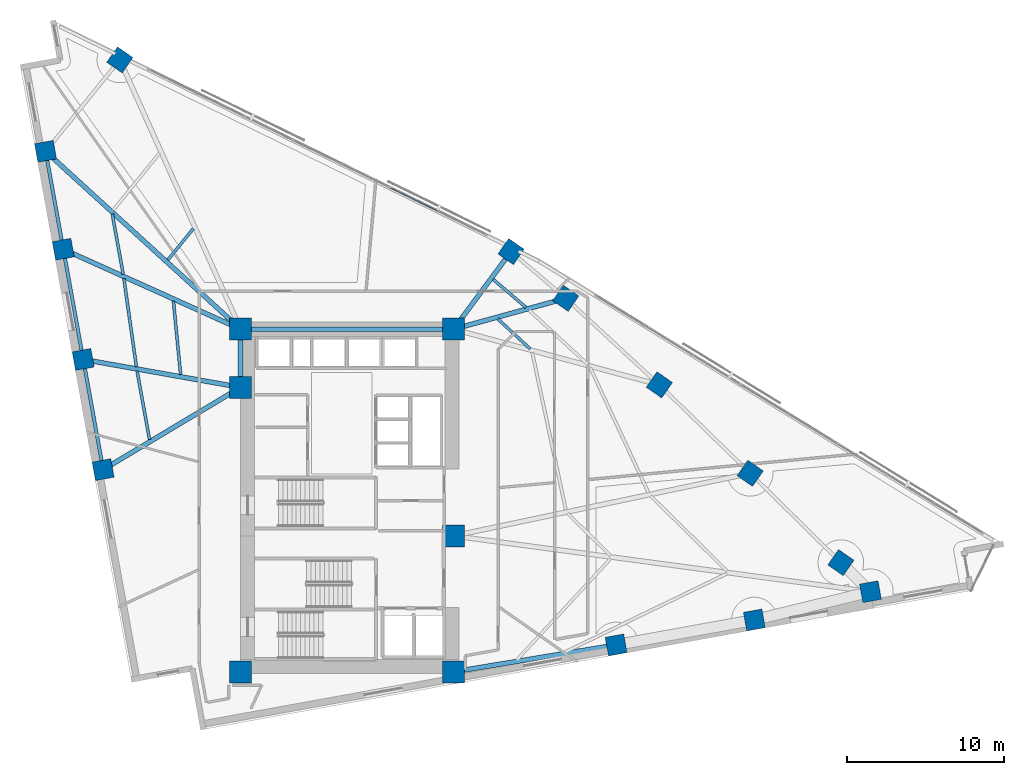
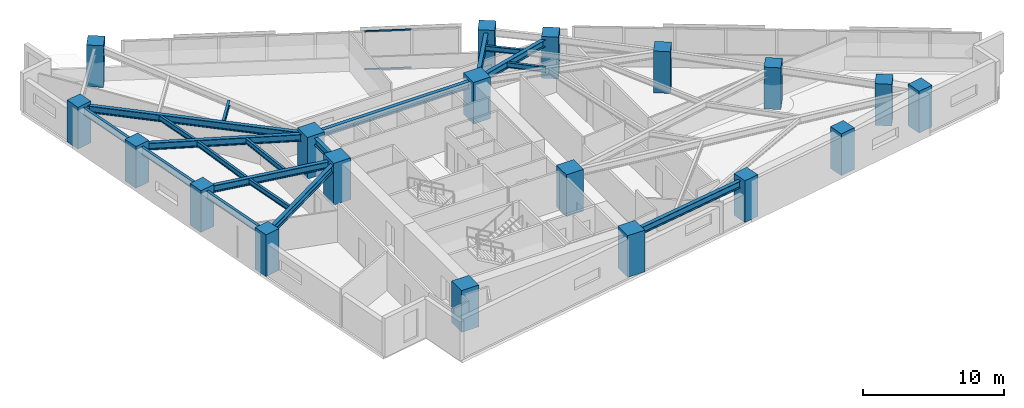
# One storey, part 1 of 18: 19 beams, 19 columns, 2 members, 1 element without a shape of its own.
"""IFC4 building model written with IfcOpenShell, lengths in metres."""

from ifc_helpers import new_model, si_unit, direction, frame, origin, origin_2d, place, context, subcontext, project, spatial, rectangle, hollow_rectangle, i_section, extrude, material, material_profile, profile_set, type_object, element, aggregate, save


model = new_model("IFC4")

# Units and contexts
model_context = context("Model", 3, precision=1e-05, world=origin(), true_north=direction((0.0, 1.0)))
body_context = subcontext(model_context, "Body", "Model", "MODEL_VIEW")
ifc_project = project(units=[si_unit("LENGTHUNIT", "METRE"), si_unit("AREAUNIT", "SQUARE_METRE"), si_unit("VOLUMEUNIT", "CUBIC_METRE"), si_unit("PLANEANGLEUNIT", "RADIAN"), si_unit("MASSUNIT", "GRAM", prefix="KILO")], contexts=[model_context])

# Site, building, storey
site_placement = place(None, origin())
site = spatial("IfcSite", under=ifc_project, at=site_placement, CompositionType="ELEMENT")
building_placement = place(site_placement, origin())
building = spatial("IfcBuilding", under=site, at=building_placement, Name="Narakoshi Arena Tower", CompositionType="ELEMENT")
storey_placement = place(building_placement, frame((0.0, 0.0, 102.89990234375)))
storey = spatial("IfcBuildingStorey", under=building, at=storey_placement, Name="L27", CompositionType="ELEMENT", Elevation=102.89990234375)

# Columns
ifc_material_1 = material(Name="Concrete C60/75", Category="concrete")
ifc_material_profile_1 = material_profile(ifc_material_1, rectangle(XDim=1.199951171875, YDim=1.199951171875, at=origin_2d()), Name="RC1200x1200")
ifc_profile_set_1 = profile_set([ifc_material_profile_1], Name="Concrete C60/75")
column_type_1 = type_object("IfcColumnType", Name="COL-RC1200", PredefinedType="COLUMN", material=ifc_profile_set_1)
for number, where, z_axis, x_axis, name in (
    (1, (95.89013671875, 36.411865234375, 0.0), (0.0, 0.0, 1.0), (0.984040697646, 0.177943545474, 0.0), "L27 Tower Perimeter Column TC02"),
    (2, (104.681396484375, 38.00146484375, 0.0), (0.0, 0.0, 1.0), (0.984040697646, 0.177943545474, 0.0), "L27 Tower Perimeter Column TC03"),
    (3, (112.0703125, 39.7978515625, 0.0), (0.0, 0.0, 1.0), (0.984040697646, 0.177943545474, 0.0), "L27 Tower Perimeter Column TC04"),
    (4, (110.189208984375, 41.650146484375, 0.0), (0.0, 0.0, 1.0), (0.569996762596, 0.821646937942, 0.0), "L27 Tower Perimeter Column TC05"),
    (5, (104.42041015625, 47.33056640625, 0.0), (0.0, 0.0, 1.0), (0.569996762596, 0.821646937942, 0.0), "L27 Tower Perimeter Column TC06"),
    (6, (98.641357421875, 52.95849609375, 0.0), (0.0, 0.0, 1.0), (0.569996762596, 0.821646937942, 0.0), "L27 Tower Perimeter Column TC07"),
    (7, (92.68994140625, 58.462890625, 0.0), (0.0, 0.0, 1.0), (0.569996762596, 0.821646937942, 0.0), "L27 Tower Perimeter Column TC08"),
    (8, (89.206787109375, 61.437744140625, 0.0), (0.0, 0.0, 1.0), (0.569996762596, 0.821646937942, 0.0), "L27 Tower Perimeter Column TC09"),
    (9, (64.31787109375, 73.633056640625, 0.0), (0.0, 0.0, 1.0), (0.569996762596, 0.821646937942, 0.0), "L27 Tower Perimeter Column TC11"),
    (10, (59.593505859375, 67.81591796875, 0.0), (0.0, 0.0, 1.0), (-0.177943545474, 0.984040697646, 0.0), "L27 Tower Perimeter Column TC13"),
    (11, (60.72021484375, 61.585205078125, 0.0), (0.0, 0.0, 1.0), (-0.177943545474, 0.984040697646, 0.0), "L27 Tower Perimeter Column TC14"),
    (12, (61.98779296875, 54.575439453125, 0.0), (0.0, 0.0, 1.0), (-0.177943545474, 0.984040697646, 0.0), "L27 Tower Perimeter Column TC15"),
    (13, (63.25537109375, 47.56591796875, 0.0), (0.0, 0.0, 1.0), (-0.177943545474, 0.984040697646, 0.0), "L27 Tower Perimeter Column TC16"),
):
    element("IfcColumn", number, at=place(storey_placement, frame(where, z_axis=z_axis, x_axis=x_axis)), inside=storey, type_object=column_type_1, Name=name, PredefinedType="COLUMN", context=body_context, shape_type="SweptSolid", body=[
        extrude(rectangle(XDim=1.199951171875, YDim=1.199951171875, at=origin_2d()), origin(), (0.0, 0.0, 1.0), 3.60009765625),
    ])
ifc_material_profile_2 = material_profile(ifc_material_1, rectangle(XDim=1.39990234375, YDim=1.39990234375, at=origin_2d()), Name="RC1400x1400")
ifc_profile_set_2 = profile_set([ifc_material_profile_2], Name="Concrete C60/75")
column_type_2 = type_object("IfcColumnType", Name="COL-RC1400", PredefinedType="COLUMN", material=ifc_profile_set_2)
for number, where, z_axis, x_axis, name in (
    (14, (72.0, 34.699951171875, 0.0), (0.0, 0.0, 1.0), (1.0, 0.0, 0.0), "L27 Core Structural Column CC1"),
    (15, (85.550048828125, 34.699951171875, 0.0), (0.0, 0.0, 1.0), (1.0, 0.0, 0.0), "L27 Core Structural Column CC2"),
    (16, (85.550048828125, 43.35009765625, 0.0), (0.0, 0.0, 1.0), (1.0, 0.0, 0.0), "L27 Core Structural Column CC3"),
    (17, (72.0, 52.800048828125, 0.0), (0.0, 0.0, 1.0), (1.0, 0.0, 0.0), "L27 Core Structural Column CC4"),
    (18, (72.0, 56.5, 0.0), (0.0, 0.0, 1.0), (1.0, 0.0, 0.0), "L27 Core Structural Column CC5"),
    (19, (85.550048828125, 56.5, 0.0), (0.0, 0.0, 1.0), (1.0, 0.0, 0.0), "L27 Core Structural Column CC6"),
):
    element("IfcColumn", number, at=place(storey_placement, frame(where, z_axis=z_axis, x_axis=x_axis)), inside=storey, type_object=column_type_2, Name=name, PredefinedType="COLUMN", context=body_context, shape_type="SweptSolid", body=[
        extrude(rectangle(XDim=1.39990234375, YDim=1.39990234375, at=origin_2d()), origin(), (0.0, 0.0, 1.0), 3.60009765625),
    ])

# Beams
ifc_material_2 = material(Name="Structural steel S355J2", Category="steel")
ifc_material_profile_3 = material_profile(ifc_material_2, i_section(OverallWidth=0.219970703125, OverallDepth=0.60009765625, WebThickness=0.011962890625, FlangeThickness=0.01904296875, FilletRadius=0.02392578125, at=origin_2d()), Name="IPE600")
ifc_profile_set_3 = profile_set([ifc_material_profile_3], Name="Structural steel S355J2")
beam_type_1 = type_object("IfcBeamType", Name="BM-EDGE-600", PredefinedType="BEAM", material=ifc_profile_set_3)
beam_1_placement = place(storey_placement, frame((59.593505859375, 67.81591796875, 3.0400390625), z_axis=(0.177945465207, -0.9840403505, 0.0), x_axis=(0.9840403505, 0.177945465207, 0.0)))
element("IfcBeam", 20, at=beam_1_placement, inside=storey, type_object=beam_type_1, Name="L27 Perimeter Edge Girder 10", PredefinedType="BEAM", context=body_context, shape_type="SweptSolid", body=[
    extrude(i_section(OverallWidth=0.219970703125, OverallDepth=0.60009765625, WebThickness=0.011962890625, FlangeThickness=0.01904296875, FilletRadius=0.02392578125, at=origin_2d()), origin(), (0.0, 0.0, 1.0), 6.331787109375),
])
beam_2_placement = place(storey_placement, frame((60.72021484375, 61.585205078125, 3.0400390625), z_axis=(0.177944362466, -0.98404054991, 0.0), x_axis=(0.98404054991, 0.177944362466, 0.0)))
element("IfcBeam", 21, at=beam_2_placement, inside=storey, type_object=beam_type_1, Name="L27 Perimeter Edge Girder 11", PredefinedType="BEAM", context=body_context, shape_type="SweptSolid", body=[
    extrude(i_section(OverallWidth=0.219970703125, OverallDepth=0.60009765625, WebThickness=0.011962890625, FlangeThickness=0.01904296875, FilletRadius=0.02392578125, at=origin_2d()), origin(), (0.0, 0.0, 1.0), 7.12353515625),
])
beam_3_placement = place(storey_placement, frame((61.98779296875, 54.575439453125, 3.0400390625), z_axis=(0.177950363985, -0.984039464634, 0.0), x_axis=(0.984039464634, 0.177950363985, 0.0)))
element("IfcBeam", 22, at=beam_3_placement, inside=storey, type_object=beam_type_1, Name="L27 Perimeter Edge Girder 12", PredefinedType="BEAM", context=body_context, shape_type="SweptSolid", body=[
    extrude(i_section(OverallWidth=0.219970703125, OverallDepth=0.60009765625, WebThickness=0.011962890625, FlangeThickness=0.01904296875, FilletRadius=0.02392578125, at=origin_2d()), origin(), (0.0, 0.0, 1.0), 7.123291015625),
])
ifc_material_profile_4 = material_profile(ifc_material_2, i_section(OverallWidth=0.300048828125, OverallDepth=0.60009765625, WebThickness=0.015380859375, FlangeThickness=0.030029296875, FilletRadius=0.027099609375, at=origin_2d()), Name="HE600B")
ifc_profile_set_4 = profile_set([ifc_material_profile_4], Name="Structural steel S355J2")
beam_type_2 = type_object("IfcBeamType", Name="BM-PRI-600", PredefinedType="BEAM", material=ifc_profile_set_4)
beam_4_placement = place(storey_placement, frame((85.550048828125, 34.699951171875, 3.0400390625), z_axis=(0.986570261116, 0.163337441762, 0.0), x_axis=(-0.163337441762, 0.986570261116, 0.0)))
element("IfcBeam", 23, at=beam_4_placement, inside=storey, type_object=beam_type_2, Name="L27 Radial Primary Floor Girder 01", PredefinedType="BEAM", context=body_context, shape_type="SweptSolid", body=[
    extrude(i_section(OverallWidth=0.300048828125, OverallDepth=0.60009765625, WebThickness=0.015380859375, FlangeThickness=0.030029296875, FilletRadius=0.027099609375, at=origin_2d()), origin(), (0.0, 0.0, 1.0), 10.48095703125),
])
beam_5_placement = place(storey_placement, frame((85.550048828125, 56.5, 3.0400390625), z_axis=(0.964225409977, 0.265083682551, 0.0), x_axis=(-0.265083682551, 0.964225409977, 0.0)))
element("IfcBeam", 24, at=beam_5_placement, inside=storey, type_object=beam_type_2, Name="L27 Radial Primary Floor Girder 07", PredefinedType="BEAM", context=body_context, shape_type="SweptSolid", body=[
    extrude(i_section(OverallWidth=0.300048828125, OverallDepth=0.60009765625, WebThickness=0.015380859375, FlangeThickness=0.030029296875, FilletRadius=0.027099609375, at=origin_2d()), origin(), (0.0, 0.0, 1.0), 7.40478515625),
])
beam_6_placement = place(storey_placement, frame((85.550048828125, 56.5, 3.0400390625), z_axis=(0.595138224279, 0.803623353321, 0.0), x_axis=(-0.803623353321, 0.595138224279, 0.0)))
element("IfcBeam", 25, at=beam_6_placement, inside=storey, type_object=beam_type_2, Name="L27 Radial Primary Floor Girder 08", PredefinedType="BEAM", context=body_context, shape_type="SweptSolid", body=[
    extrude(i_section(OverallWidth=0.300048828125, OverallDepth=0.60009765625, WebThickness=0.015380859375, FlangeThickness=0.030029296875, FilletRadius=0.027099609375, at=origin_2d()), origin(), (0.0, 0.0, 1.0), 6.144287109375),
])
beam_7_placement = place(storey_placement, frame((72.0, 56.5, 3.0400390625), z_axis=(-0.738833839277, 0.673887644893, 0.0), x_axis=(-0.673887644893, -0.738833839277, 0.0)))
element("IfcBeam", 26, at=beam_7_placement, inside=storey, type_object=beam_type_2, Name="L27 Radial Primary Floor Girder 10", PredefinedType="BEAM", context=body_context, shape_type="SweptSolid", body=[
    extrude(i_section(OverallWidth=0.300048828125, OverallDepth=0.60009765625, WebThickness=0.015380859375, FlangeThickness=0.030029296875, FilletRadius=0.027099609375, at=origin_2d()), origin(), (0.0, 0.0, 1.0), 16.7919921875),
])
beam_8_placement = place(storey_placement, frame((72.0, 56.5, 3.0400390625), z_axis=(-0.911639961566, 0.410989757142, 0.0), x_axis=(-0.410989757142, -0.911639961566, 0.0)))
element("IfcBeam", 27, at=beam_8_placement, inside=storey, type_object=beam_type_2, Name="L27 Radial Primary Floor Girder 11", PredefinedType="BEAM", context=body_context, shape_type="SweptSolid", body=[
    extrude(i_section(OverallWidth=0.300048828125, OverallDepth=0.60009765625, WebThickness=0.015380859375, FlangeThickness=0.030029296875, FilletRadius=0.027099609375, at=origin_2d()), origin(), (0.0, 0.0, 1.0), 12.373046875),
])
beam_9_placement = place(storey_placement, frame((72.0, 52.800048828125, 3.0400390625), z_axis=(-0.984639647685, 0.174598866568, 0.0), x_axis=(-0.174598866568, -0.984639647685, 0.0)))
element("IfcBeam", 28, at=beam_9_placement, inside=storey, type_object=beam_type_2, Name="L27 Radial Primary Floor Girder 12", PredefinedType="BEAM", context=body_context, shape_type="SweptSolid", body=[
    extrude(i_section(OverallWidth=0.300048828125, OverallDepth=0.60009765625, WebThickness=0.015380859375, FlangeThickness=0.030029296875, FilletRadius=0.027099609375, at=origin_2d()), origin(), (0.0, 0.0, 1.0), 10.16845703125),
])
beam_10_placement = place(storey_placement, frame((72.0, 52.800048828125, 3.0400390625), z_axis=(-0.858039895053, -0.513583039534, 0.0), x_axis=(0.513583039534, -0.858039895053, 0.0)))
element("IfcBeam", 29, at=beam_10_placement, inside=storey, type_object=beam_type_2, Name="L27 Radial Primary Floor Girder 13", PredefinedType="BEAM", context=body_context, shape_type="SweptSolid", body=[
    extrude(i_section(OverallWidth=0.300048828125, OverallDepth=0.60009765625, WebThickness=0.015380859375, FlangeThickness=0.030029296875, FilletRadius=0.027099609375, at=origin_2d()), origin(), (0.0, 0.0, 1.0), 10.19140625),
])
beam_11_placement = place(storey_placement, frame((72.0, 52.800048828125, 3.0400390625), z_axis=(0.0, 1.0, 0.0), x_axis=(-1.0, 0.0, 0.0)))
element("IfcBeam", 30, at=beam_11_placement, inside=storey, type_object=beam_type_2, Name="L27 Core Perimeter Frame Beam CC4-CC5", PredefinedType="BEAM", context=body_context, shape_type="SweptSolid", body=[
    extrude(i_section(OverallWidth=0.300048828125, OverallDepth=0.60009765625, WebThickness=0.015380859375, FlangeThickness=0.030029296875, FilletRadius=0.027099609375, at=origin_2d()), origin(), (0.0, 0.0, 1.0), 3.699951171875),
])
beam_12_placement = place(storey_placement, frame((72.0, 56.5, 3.0400390625), z_axis=(1.0, 0.0, 0.0), x_axis=(0.0, 1.0, 0.0)))
element("IfcBeam", 31, at=beam_12_placement, inside=storey, type_object=beam_type_2, Name="L27 Core Perimeter Frame Beam CC5-CC6", PredefinedType="BEAM", context=body_context, shape_type="SweptSolid", body=[
    extrude(i_section(OverallWidth=0.300048828125, OverallDepth=0.60009765625, WebThickness=0.015380859375, FlangeThickness=0.030029296875, FilletRadius=0.027099609375, at=origin_2d()), origin(), (0.0, 0.0, 1.0), 13.550048828125),
])
ifc_material_profile_5 = material_profile(ifc_material_2, i_section(OverallWidth=0.18994140625, OverallDepth=0.449951171875, WebThickness=0.009521484375, FlangeThickness=0.0146484375, FilletRadius=0.02099609375, at=origin_2d()), Name="IPE450")
ifc_profile_set_5 = profile_set([ifc_material_profile_5], Name="Structural steel S355J2")
beam_type_3 = type_object("IfcBeamType", Name="BM-SEC-450", PredefinedType="JOIST", material=ifc_profile_set_5)
beam_13_placement = place(storey_placement, frame((90.425537109375, 55.245849609375, 3.114990234375), z_axis=(-0.734107017301, 0.679033789402, 0.0), x_axis=(-0.679033789402, -0.734107017301, 0.0)))
element("IfcBeam", 32, at=beam_13_placement, inside=storey, type_object=beam_type_3, Name="L27 Composite Secondary Floor Joist 07", PredefinedType="JOIST", context=body_context, shape_type="SweptSolid", body=[
    extrude(i_section(OverallWidth=0.18994140625, OverallDepth=0.449951171875, WebThickness=0.009521484375, FlangeThickness=0.0146484375, FilletRadius=0.02099609375, at=origin_2d()), origin(), (0.0, 0.0, 1.0), 2.810546875),
])
beam_14_placement = place(storey_placement, frame((90.15966796875, 57.88330078125, 3.114990234375), z_axis=(-0.760394661797, 0.649461283149, 0.0), x_axis=(-0.649461283149, -0.760394661797, 0.0)))
element("IfcBeam", 33, at=beam_14_placement, inside=storey, type_object=beam_type_3, Name="L27 Composite Secondary Floor Joist 09", PredefinedType="JOIST", context=body_context, shape_type="SweptSolid", body=[
    extrude(i_section(OverallWidth=0.18994140625, OverallDepth=0.449951171875, WebThickness=0.009521484375, FlangeThickness=0.0146484375, FilletRadius=0.02099609375, at=origin_2d()), origin(), (0.0, 0.0, 1.0), 2.753173828125),
])
beam_15_placement = place(storey_placement, frame((68.99560546875, 62.90576171875, 3.114990234375), z_axis=(-0.630407193219, -0.776264626746, 0.0), x_axis=(0.776264626746, -0.630407193219, 0.0)))
element("IfcBeam", 34, at=beam_15_placement, inside=storey, type_object=beam_type_3, Name="L27 Composite Secondary Floor Joist 10", PredefinedType="JOIST", context=body_context, shape_type="SweptSolid", body=[
    extrude(i_section(OverallWidth=0.18994140625, OverallDepth=0.449951171875, WebThickness=0.009521484375, FlangeThickness=0.0146484375, FilletRadius=0.02099609375, at=origin_2d()), origin(), (0.0, 0.0, 1.0), 2.57763671875),
])
beam_16_placement = place(storey_placement, frame((63.835693359375, 63.835693359375, 3.114990234375), z_axis=(0.177934538445, -0.98404232634, 0.0), x_axis=(0.98404232634, 0.177934538445, 0.0)))
element("IfcBeam", 35, at=beam_16_placement, inside=storey, type_object=beam_type_3, Name="L27 Composite Secondary Floor Joist 12", PredefinedType="JOIST", context=body_context, shape_type="SweptSolid", body=[
    extrude(i_section(OverallWidth=0.18994140625, OverallDepth=0.449951171875, WebThickness=0.009521484375, FlangeThickness=0.0146484375, FilletRadius=0.02099609375, at=origin_2d()), origin(), (0.0, 0.0, 1.0), 3.9091796875),
])
beam_17_placement = place(storey_placement, frame((67.726806640625, 58.298095703125, 3.114990234375), z_axis=(0.09670180162, -0.995313398666, 0.0), x_axis=(0.995313398666, 0.09670180162, 0.0)))
element("IfcBeam", 36, at=beam_17_placement, inside=storey, type_object=beam_type_3, Name="L27 Composite Secondary Floor Joist 13", PredefinedType="JOIST", context=body_context, shape_type="SweptSolid", body=[
    extrude(i_section(OverallWidth=0.18994140625, OverallDepth=0.449951171875, WebThickness=0.009521484375, FlangeThickness=0.0146484375, FilletRadius=0.02099609375, at=origin_2d()), origin(), (0.0, 0.0, 1.0), 4.7109375),
])
beam_18_placement = place(storey_placement, frame((64.57421875, 59.722412109375, 3.114990234375), z_axis=(0.140758627252, -0.99004394289, 0.0), x_axis=(0.99004394289, 0.140758627252, 0.0)))
element("IfcBeam", 37, at=beam_18_placement, inside=storey, type_object=beam_type_3, Name="L27 Composite Secondary Floor Joist 14", PredefinedType="JOIST", context=body_context, shape_type="SweptSolid", body=[
    extrude(i_section(OverallWidth=0.18994140625, OverallDepth=0.449951171875, WebThickness=0.009521484375, FlangeThickness=0.0146484375, FilletRadius=0.02099609375, at=origin_2d()), origin(), (0.0, 0.0, 1.0), 5.67333984375),
])
beam_19_placement = place(storey_placement, frame((65.416015625, 53.839111328125, 3.114990234375), z_axis=(0.177944838114, -0.984040463898, 0.0), x_axis=(0.984040463898, 0.177944838114, 0.0)))
element("IfcBeam", 38, at=beam_19_placement, inside=storey, type_object=beam_type_3, Name="L27 Composite Secondary Floor Joist 15", PredefinedType="JOIST", context=body_context, shape_type="SweptSolid", body=[
    extrude(i_section(OverallWidth=0.18994140625, OverallDepth=0.449951171875, WebThickness=0.009521484375, FlangeThickness=0.0146484375, FilletRadius=0.02099609375, at=origin_2d()), origin(), (0.0, 0.0, 1.0), 4.431640625),
])

# Curtain wall, members
ifc_material_3 = material(Name="Anodised bronze aluminium 6063-T6", Category="aluminium")
curtain_wall_type = type_object("IfcCurtainWallType", Name="CW-HYP-LOW", PredefinedType="NOTDEFINED", material=ifc_material_3)
curtain_wall_placement = place(storey_placement, origin())
curtain_wall = element("IfcCurtainWall", 39, at=curtain_wall_placement, inside=storey, type_object=curtain_wall_type, Name="L27 Folded Hypotenuse Curtain Wall 2-1", PredefinedType="NOTDEFINED")
ifc_material_profile_6 = material_profile(ifc_material_3, hollow_rectangle(XDim=0.06494140625, YDim=0.1298828125, WallThickness=0.00390625, OuterFilletRadius=0.0048828125, at=origin_2d()), Name="TRN130x65x4")
ifc_profile_set_6 = profile_set([ifc_material_profile_6], Name="Anodised bronze aluminium 6063-T6")
member_type = type_object("IfcMemberType", Name="MEM-TRN-130", PredefinedType="USERDEFINED", material=ifc_profile_set_6)
member_1_placement = place(storey_placement, frame((84.525634765625, 64.02099609375, 0.03271484375), z_axis=(-0.897986843255, 0.440022305503, 0.0), x_axis=(-0.440022305503, -0.897986843255, 0.0)))
member_1 = element("IfcMember", 40, at=member_1_placement, type_object=member_type, Name="CW-01 transom 2.1", ObjectType="TRANSOM", PredefinedType="USERDEFINED", context=body_context, shape_type="SweptSolid", body=[
    extrude(hollow_rectangle(XDim=0.06494140625, YDim=0.1298828125, WallThickness=0.00390625, OuterFilletRadius=0.0048828125, at=origin_2d()), origin(), (0.0, 0.0, 1.0), 3.347412109375),
])
member_2_placement = place(storey_placement, frame((84.525634765625, 64.02099609375, 3.3076171875), z_axis=(-0.897986843255, 0.440022305503, 0.0), x_axis=(-0.440022305503, -0.897986843255, 0.0)))
member_2 = element("IfcMember", 41, at=member_2_placement, type_object=member_type, Name="CW-01 transom 2.2", ObjectType="TRANSOM", PredefinedType="USERDEFINED", context=body_context, shape_type="SweptSolid", body=[
    extrude(hollow_rectangle(XDim=0.06494140625, YDim=0.1298828125, WallThickness=0.00390625, OuterFilletRadius=0.0048828125, at=origin_2d()), origin(), (0.0, 0.0, 1.0), 3.347412109375),
])
aggregate(curtain_wall, [member_1, member_2])

save(model, "model.ifc")
